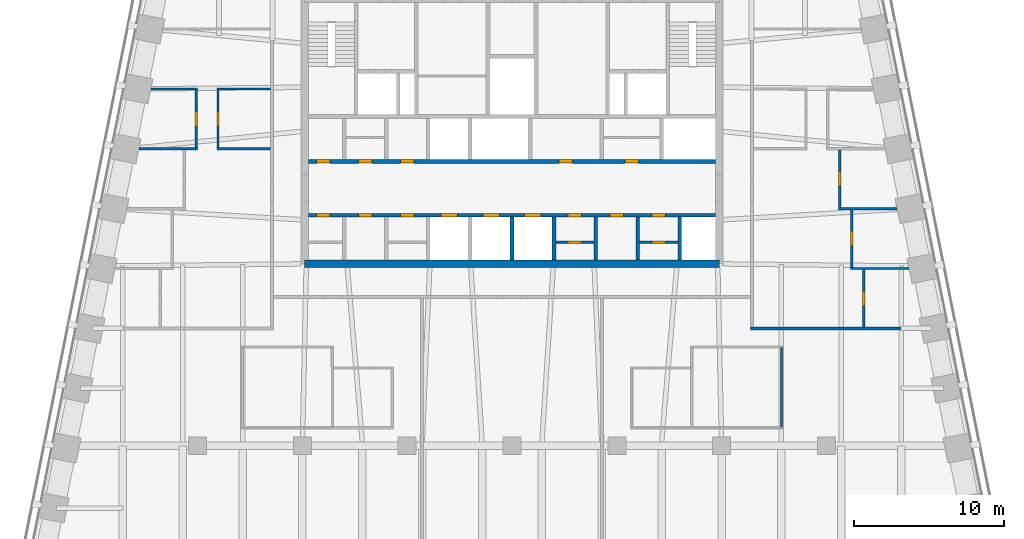
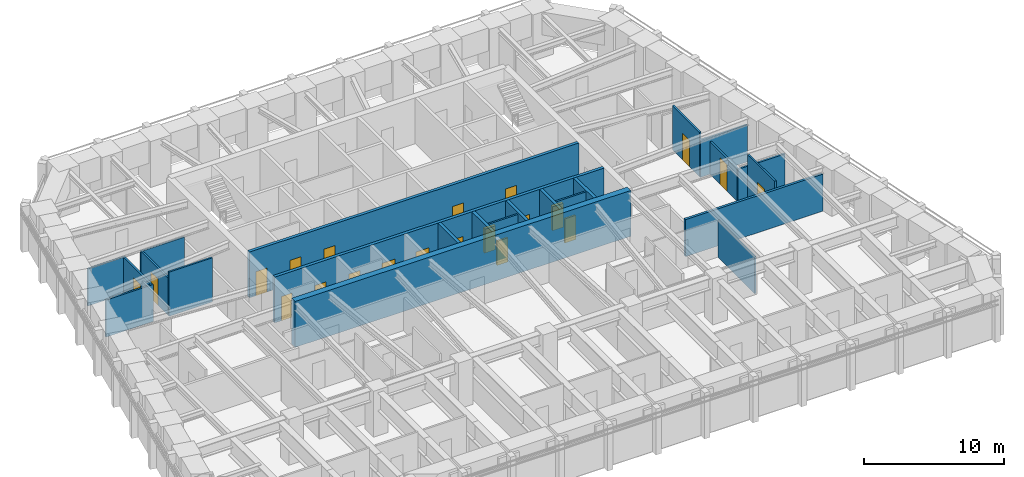
# One storey, part 8 of 12: 23 walls, 21 doors, 21 openings.
"""IFC4 building model written with IfcOpenShell, lengths in metres."""

from ifc_helpers import new_model, si_unit, direction, frame, frame_2d, origin, place, context, subcontext, project, spatial, rectangle, extrude, material, layer, layer_set, type_object, element, fill, save


model = new_model("IFC4")

# Units and contexts
model_context = context("Model", 3, precision=1e-05, world=origin(), true_north=direction((0.0, 1.0)))
body_context = subcontext(model_context, "Body", "Model", "MODEL_VIEW")
ifc_project = project(units=[si_unit("LENGTHUNIT", "METRE"), si_unit("AREAUNIT", "SQUARE_METRE"), si_unit("VOLUMEUNIT", "CUBIC_METRE"), si_unit("PLANEANGLEUNIT", "RADIAN"), si_unit("MASSUNIT", "GRAM", prefix="KILO")], contexts=[model_context])

# Site, building, storey
site_placement = place(None, origin())
site = spatial("IfcSite", under=ifc_project, at=site_placement, CompositionType="ELEMENT")
building_placement = place(site_placement, origin())
building = spatial("IfcBuilding", under=site, at=building_placement, Name="Isbrekke Arena Tower", CompositionType="ELEMENT")
storey_placement = place(building_placement, frame((0.0, 0.0, 256.0)))
storey = spatial("IfcBuildingStorey", under=building, at=storey_placement, Name="L59", CompositionType="ELEMENT", Elevation=256.0)

# Wall
ifc_material_1 = material(Name="Concrete B55 (C55/67)", Category="concrete")
ifc_layer_1 = layer(ifc_material_1, 0.5)
ifc_layer_set_1 = layer_set([ifc_layer_1], Name="CW5 CORE WALL 500")
wall_type_1 = type_object("IfcWallType", Name="CW5 CORE WALL 500", PredefinedType="SHEAR", material=ifc_layer_set_1)
wall_1_placement = place(storey_placement, frame((-13.85009765625, 6.14990234375, 0.0), z_axis=(0.0, 0.0, 1.0), x_axis=(1.0, 0.0, 0.0)))
element("IfcWall", 1, at=wall_1_placement, inside=storey, type_object=wall_type_1, Name="Core wall S L59", PredefinedType="SHEAR", context=body_context, shape_type="SweptSolid", body=[
    extrude(rectangle(XDim=27.7001953125, YDim=0.5, at=frame_2d((13.85009765625, 0.0))), origin(), (0.0, 0.0, 1.0), 4.0),
])

# Wall, openings, doors
ifc_material_2 = material(Name="Concrete B45 (C45/55)", Category="concrete")
ifc_layer_2 = layer(ifc_material_2, 0.25)
ifc_layer_set_2 = layer_set([ifc_layer_2], Name="CW6 SHAFT WALL 250")
wall_type_2 = type_object("IfcWallType", Name="CW6 SHAFT WALL 250", PredefinedType="SHEAR", material=ifc_layer_set_2)
wall_2_placement = place(storey_placement, frame((-13.60009765625, 9.39990234375, 0.0), z_axis=(0.0, 0.0, 1.0), x_axis=(1.0, 0.0, 0.0)))
wall_2 = element("IfcWall", 2, at=wall_2_placement, inside=storey, type_object=wall_type_2, Name="Core wall LS L59", PredefinedType="SHEAR", context=body_context, shape_type="SweptSolid", body=[
    extrude(rectangle(XDim=27.2001953125, YDim=0.25, at=frame_2d((13.60009765625, 0.0))), origin(), (0.0, 0.0, 1.0), 4.0),
])
opening_1_placement = place(wall_2_placement, frame((8.85009765625, 0.0, 0.0)))
opening_1 = element("IfcOpeningElement", 3, at=opening_1_placement, cuts=wall_2, Name="Opening LD1", PredefinedType="OPENING", context=body_context, shape_type="SweptSolid", body=[
    extrude(rectangle(XDim=1.10009765625, YDim=2.10009765625, at=frame_2d((0.550048828125, 1.050048828125))), frame((0.0, 0.139892578125, 0.0), z_axis=(0.0, -1.0, 0.0), x_axis=(1.0, 0.0, 0.0)), (0.0, 0.0, 1.0), 0.27978515625),
])
opening_2_placement = place(wall_2_placement, frame((11.64990234375, 0.0, 0.0)))
opening_2 = element("IfcOpeningElement", 4, at=opening_2_placement, cuts=wall_2, Name="Opening LD1", PredefinedType="OPENING", context=body_context, shape_type="SweptSolid", body=[
    extrude(rectangle(XDim=1.10009765625, YDim=2.10009765625, at=frame_2d((0.550048828125, 1.050048828125))), frame((0.0, 0.139892578125, 0.0), z_axis=(0.0, -1.0, 0.0), x_axis=(1.0, 0.0, 0.0)), (0.0, 0.0, 1.0), 0.27978515625),
])
opening_3_placement = place(wall_2_placement, frame((14.449951171875, 0.0, 0.0)))
opening_3 = element("IfcOpeningElement", 5, at=opening_3_placement, cuts=wall_2, Name="Opening LD1", PredefinedType="OPENING", context=body_context, shape_type="SweptSolid", body=[
    extrude(rectangle(XDim=1.10009765625, YDim=2.10009765625, at=frame_2d((0.550048828125, 1.050048828125))), frame((0.0, 0.139892578125, 0.0), z_axis=(0.0, -1.0, 0.0), x_axis=(1.0, 0.0, 0.0)), (0.0, 0.0, 1.0), 0.27978515625),
])
opening_4_placement = place(wall_2_placement, frame((0.550048828125, 0.0, 0.0)))
opening_4 = element("IfcOpeningElement", 6, at=opening_4_placement, cuts=wall_2, Name="Opening D5", PredefinedType="OPENING", context=body_context, shape_type="SweptSolid", body=[
    extrude(rectangle(XDim=0.89990234375, YDim=2.10009765625, at=frame_2d((0.449951171875, 1.050048828125))), frame((0.0, 0.139892578125, 0.0), z_axis=(0.0, -1.0, 0.0), x_axis=(1.0, 0.0, 0.0)), (0.0, 0.0, 1.0), 0.27978515625),
])
opening_5_placement = place(wall_2_placement, frame((3.35009765625, 0.0, 0.0)))
opening_5 = element("IfcOpeningElement", 7, at=opening_5_placement, cuts=wall_2, Name="Opening D5", PredefinedType="OPENING", context=body_context, shape_type="SweptSolid", body=[
    extrude(rectangle(XDim=0.89990234375, YDim=2.10009765625, at=frame_2d((0.449951171875, 1.050048828125))), frame((0.0, 0.139892578125, 0.0), z_axis=(0.0, -1.0, 0.0), x_axis=(1.0, 0.0, 0.0)), (0.0, 0.0, 1.0), 0.27978515625),
])
opening_6_placement = place(wall_2_placement, frame((6.14990234375, 0.0, 0.0)))
opening_6 = element("IfcOpeningElement", 8, at=opening_6_placement, cuts=wall_2, Name="Opening D5", PredefinedType="OPENING", context=body_context, shape_type="SweptSolid", body=[
    extrude(rectangle(XDim=0.89990234375, YDim=2.10009765625, at=frame_2d((0.449951171875, 1.050048828125))), frame((0.0, 0.139892578125, 0.0), z_axis=(0.0, -1.0, 0.0), x_axis=(1.0, 0.0, 0.0)), (0.0, 0.0, 1.0), 0.27978515625),
])
opening_7_placement = place(wall_2_placement, frame((17.35009765625, 0.0, 0.0)))
opening_7 = element("IfcOpeningElement", 9, at=opening_7_placement, cuts=wall_2, Name="Opening D5", PredefinedType="OPENING", context=body_context, shape_type="SweptSolid", body=[
    extrude(rectangle(XDim=0.89990234375, YDim=2.10009765625, at=frame_2d((0.449951171875, 1.050048828125))), frame((0.0, 0.139892578125, 0.0), z_axis=(0.0, -1.0, 0.0), x_axis=(1.0, 0.0, 0.0)), (0.0, 0.0, 1.0), 0.27978515625),
])
opening_8_placement = place(wall_2_placement, frame((20.14990234375, 0.0, 0.0)))
opening_8 = element("IfcOpeningElement", 10, at=opening_8_placement, cuts=wall_2, Name="Opening D5", PredefinedType="OPENING", context=body_context, shape_type="SweptSolid", body=[
    extrude(rectangle(XDim=0.89990234375, YDim=2.10009765625, at=frame_2d((0.449951171875, 1.050048828125))), frame((0.0, 0.139892578125, 0.0), z_axis=(0.0, -1.0, 0.0), x_axis=(1.0, 0.0, 0.0)), (0.0, 0.0, 1.0), 0.27978515625),
])
opening_9_placement = place(wall_2_placement, frame((22.949951171875, 0.0, 0.0)))
opening_9 = element("IfcOpeningElement", 11, at=opening_9_placement, cuts=wall_2, Name="Opening D5", PredefinedType="OPENING", context=body_context, shape_type="SweptSolid", body=[
    extrude(rectangle(XDim=0.89990234375, YDim=2.10009765625, at=frame_2d((0.449951171875, 1.050048828125))), frame((0.0, 0.139892578125, 0.0), z_axis=(0.0, -1.0, 0.0), x_axis=(1.0, 0.0, 0.0)), (0.0, 0.0, 1.0), 0.27978515625),
])
ifc_material_3 = material(Name="Steel fire door", Category="steel")
door_type_1 = type_object("IfcDoorType", Name="D5 SERVICE DOOR 900 x 2100", OperationType="SINGLE_SWING_LEFT", PredefinedType="DOOR", material=ifc_material_3)
door_1_placement = place(opening_4_placement, origin())
door_1 = element("IfcDoor", 12, at=door_1_placement, inside=storey, type_object=door_type_1, Name="D5 pantry door L59", OperationType="SINGLE_SWING_LEFT", OverallHeight=2.10009765625, OverallWidth=0.89990234375, PredefinedType="DOOR", context=body_context, shape_type="SweptSolid", body=[
    extrude(rectangle(XDim=0.89990234375, YDim=2.10009765625, at=frame_2d((0.449951171875, 1.050048828125))), frame((0.0, 0.124755859375, 0.0), z_axis=(0.0, -1.0, 0.0), x_axis=(1.0, 0.0, 0.0)), (0.0, 0.0, 1.0), 0.24951171875),
])
fill(opening_4, door_1)
door_2_placement = place(opening_5_placement, origin())
door_2 = element("IfcDoor", 13, at=door_2_placement, inside=storey, type_object=door_type_1, Name="D5 technical room door L59", OperationType="SINGLE_SWING_LEFT", OverallHeight=2.10009765625, OverallWidth=0.89990234375, PredefinedType="DOOR", context=body_context, shape_type="SweptSolid", body=[
    extrude(rectangle(XDim=0.89990234375, YDim=2.10009765625, at=frame_2d((0.449951171875, 1.050048828125))), frame((0.0, 0.124755859375, 0.0), z_axis=(0.0, -1.0, 0.0), x_axis=(1.0, 0.0, 0.0)), (0.0, 0.0, 1.0), 0.24951171875),
])
fill(opening_5, door_2)
door_3_placement = place(opening_6_placement, origin())
door_3 = element("IfcDoor", 14, at=door_3_placement, inside=storey, type_object=door_type_1, Name="D5 first-aid room door L59", OperationType="SINGLE_SWING_LEFT", OverallHeight=2.10009765625, OverallWidth=0.89990234375, PredefinedType="DOOR", context=body_context, shape_type="SweptSolid", body=[
    extrude(rectangle(XDim=0.89990234375, YDim=2.10009765625, at=frame_2d((0.449951171875, 1.050048828125))), frame((0.0, 0.124755859375, 0.0), z_axis=(0.0, -1.0, 0.0), x_axis=(1.0, 0.0, 0.0)), (0.0, 0.0, 1.0), 0.24951171875),
])
fill(opening_6, door_3)
door_4_placement = place(opening_7_placement, origin())
door_4 = element("IfcDoor", 15, at=door_4_placement, inside=storey, type_object=door_type_1, Name="D5 tea point door L59", OperationType="SINGLE_SWING_LEFT", OverallHeight=2.10009765625, OverallWidth=0.89990234375, PredefinedType="DOOR", context=body_context, shape_type="SweptSolid", body=[
    extrude(rectangle(XDim=0.89990234375, YDim=2.10009765625, at=frame_2d((0.449951171875, 1.050048828125))), frame((0.0, 0.124755859375, 0.0), z_axis=(0.0, -1.0, 0.0), x_axis=(1.0, 0.0, 0.0)), (0.0, 0.0, 1.0), 0.24951171875),
])
fill(opening_7, door_4)
door_5_placement = place(opening_8_placement, origin())
door_5 = element("IfcDoor", 16, at=door_5_placement, inside=storey, type_object=door_type_1, Name="D5 archive door L59", OperationType="SINGLE_SWING_LEFT", OverallHeight=2.10009765625, OverallWidth=0.89990234375, PredefinedType="DOOR", context=body_context, shape_type="SweptSolid", body=[
    extrude(rectangle(XDim=0.89990234375, YDim=2.10009765625, at=frame_2d((0.449951171875, 1.050048828125))), frame((0.0, 0.124755859375, 0.0), z_axis=(0.0, -1.0, 0.0), x_axis=(1.0, 0.0, 0.0)), (0.0, 0.0, 1.0), 0.24951171875),
])
fill(opening_8, door_5)
door_6_placement = place(opening_9_placement, origin())
door_6 = element("IfcDoor", 17, at=door_6_placement, inside=storey, type_object=door_type_1, Name="D5 mothers' room door L59", OperationType="SINGLE_SWING_LEFT", OverallHeight=2.10009765625, OverallWidth=0.89990234375, PredefinedType="DOOR", context=body_context, shape_type="SweptSolid", body=[
    extrude(rectangle(XDim=0.89990234375, YDim=2.10009765625, at=frame_2d((0.449951171875, 1.050048828125))), frame((0.0, 0.124755859375, 0.0), z_axis=(0.0, -1.0, 0.0), x_axis=(1.0, 0.0, 0.0)), (0.0, 0.0, 1.0), 0.24951171875),
])
fill(opening_9, door_6)
ifc_material_4 = material(Name="Stainless steel lift landing door", Category="steel")
door_type_2 = type_object("IfcDoorType", Name="LD1 LIFT LANDING DOOR 1100 x 2100", OperationType="SLIDING_TO_LEFT", PredefinedType="DOOR", material=ifc_material_4)
door_7_placement = place(opening_1_placement, origin())
door_7 = element("IfcDoor", 18, at=door_7_placement, inside=storey, type_object=door_type_2, Name="LD1 lift landing door LE L59", OperationType="SLIDING_TO_LEFT", OverallHeight=2.10009765625, OverallWidth=1.10009765625, PredefinedType="DOOR", context=body_context, shape_type="SweptSolid", body=[
    extrude(rectangle(XDim=1.10009765625, YDim=2.10009765625, at=frame_2d((0.550048828125, 1.050048828125))), frame((0.0, 0.124755859375, 0.0), z_axis=(0.0, -1.0, 0.0), x_axis=(1.0, 0.0, 0.0)), (0.0, 0.0, 1.0), 0.24951171875),
])
fill(opening_1, door_7)
door_8_placement = place(opening_2_placement, origin())
door_8 = element("IfcDoor", 19, at=door_8_placement, inside=storey, type_object=door_type_2, Name="LD1 lift landing door LE L59", OperationType="SLIDING_TO_LEFT", OverallHeight=2.10009765625, OverallWidth=1.10009765625, PredefinedType="DOOR", context=body_context, shape_type="SweptSolid", body=[
    extrude(rectangle(XDim=1.10009765625, YDim=2.10009765625, at=frame_2d((0.550048828125, 1.050048828125))), frame((0.0, 0.124755859375, 0.0), z_axis=(0.0, -1.0, 0.0), x_axis=(1.0, 0.0, 0.0)), (0.0, 0.0, 1.0), 0.24951171875),
])
fill(opening_2, door_8)
door_9_placement = place(opening_3_placement, origin())
door_9 = element("IfcDoor", 20, at=door_9_placement, inside=storey, type_object=door_type_2, Name="LD1 lift landing door LE L59", OperationType="SLIDING_TO_LEFT", OverallHeight=2.10009765625, OverallWidth=1.10009765625, PredefinedType="DOOR", context=body_context, shape_type="SweptSolid", body=[
    extrude(rectangle(XDim=1.10009765625, YDim=2.10009765625, at=frame_2d((0.550048828125, 1.050048828125))), frame((0.0, 0.124755859375, 0.0), z_axis=(0.0, -1.0, 0.0), x_axis=(1.0, 0.0, 0.0)), (0.0, 0.0, 1.0), 0.24951171875),
])
fill(opening_3, door_9)

wall_3_placement = place(storey_placement, frame((-13.60009765625, 13.0, 0.0), z_axis=(0.0, 0.0, 1.0), x_axis=(1.0, 0.0, 0.0)))
wall_3 = element("IfcWall", 21, at=wall_3_placement, inside=storey, type_object=wall_type_2, Name="Core wall LN L59", PredefinedType="SHEAR", context=body_context, shape_type="SweptSolid", body=[
    extrude(rectangle(XDim=27.2001953125, YDim=0.25, at=frame_2d((13.60009765625, 0.0))), origin(), (0.0, 0.0, 1.0), 4.0),
])
opening_10_placement = place(wall_3_placement, frame((16.75, 0.0, 0.0)))
opening_10 = element("IfcOpeningElement", 22, at=opening_10_placement, cuts=wall_3, Name="Opening D5", PredefinedType="OPENING", context=body_context, shape_type="SweptSolid", body=[
    extrude(rectangle(XDim=0.89990234375, YDim=2.10009765625, at=frame_2d((0.449951171875, 1.050048828125))), frame((0.0, 0.139892578125, 0.0), z_axis=(0.0, -1.0, 0.0), x_axis=(1.0, 0.0, 0.0)), (0.0, 0.0, 1.0), 0.27978515625),
])
opening_11_placement = place(wall_3_placement, frame((21.14990234375, 0.0, 0.0)))
opening_11 = element("IfcOpeningElement", 23, at=opening_11_placement, cuts=wall_3, Name="Opening D5", PredefinedType="OPENING", context=body_context, shape_type="SweptSolid", body=[
    extrude(rectangle(XDim=0.89990234375, YDim=2.10009765625, at=frame_2d((0.449951171875, 1.050048828125))), frame((0.0, 0.139892578125, 0.0), z_axis=(0.0, -1.0, 0.0), x_axis=(1.0, 0.0, 0.0)), (0.0, 0.0, 1.0), 0.27978515625),
])
opening_12_placement = place(wall_3_placement, frame((0.550048828125, 0.0, 0.0)))
opening_12 = element("IfcOpeningElement", 24, at=opening_12_placement, cuts=wall_3, Name="Opening D5", PredefinedType="OPENING", context=body_context, shape_type="SweptSolid", body=[
    extrude(rectangle(XDim=0.89990234375, YDim=2.10009765625, at=frame_2d((0.449951171875, 1.050048828125))), frame((0.0, 0.139892578125, 0.0), z_axis=(0.0, -1.0, 0.0), x_axis=(1.0, 0.0, 0.0)), (0.0, 0.0, 1.0), 0.27978515625),
])
opening_13_placement = place(wall_3_placement, frame((3.35009765625, 0.0, 0.0)))
opening_13 = element("IfcOpeningElement", 25, at=opening_13_placement, cuts=wall_3, Name="Opening D5", PredefinedType="OPENING", context=body_context, shape_type="SweptSolid", body=[
    extrude(rectangle(XDim=0.89990234375, YDim=2.10009765625, at=frame_2d((0.449951171875, 1.050048828125))), frame((0.0, 0.139892578125, 0.0), z_axis=(0.0, -1.0, 0.0), x_axis=(1.0, 0.0, 0.0)), (0.0, 0.0, 1.0), 0.27978515625),
])
opening_14_placement = place(wall_3_placement, frame((6.14990234375, 0.0, 0.0)))
opening_14 = element("IfcOpeningElement", 26, at=opening_14_placement, cuts=wall_3, Name="Opening D5", PredefinedType="OPENING", context=body_context, shape_type="SweptSolid", body=[
    extrude(rectangle(XDim=0.89990234375, YDim=2.10009765625, at=frame_2d((0.449951171875, 1.050048828125))), frame((0.0, 0.139892578125, 0.0), z_axis=(0.0, -1.0, 0.0), x_axis=(1.0, 0.0, 0.0)), (0.0, 0.0, 1.0), 0.27978515625),
])
door_10_placement = place(opening_10_placement, origin())
door_10 = element("IfcDoor", 27, at=door_10_placement, inside=storey, type_object=door_type_1, Name="D5 cleaner's store door L59", OperationType="SINGLE_SWING_LEFT", OverallHeight=2.10009765625, OverallWidth=0.89990234375, PredefinedType="DOOR", context=body_context, shape_type="SweptSolid", body=[
    extrude(rectangle(XDim=0.89990234375, YDim=2.10009765625, at=frame_2d((0.449951171875, 1.050048828125))), frame((0.0, 0.124755859375, 0.0), z_axis=(0.0, -1.0, 0.0), x_axis=(1.0, 0.0, 0.0)), (0.0, 0.0, 1.0), 0.24951171875),
])
fill(opening_10, door_10)
door_11_placement = place(opening_11_placement, origin())
door_11 = element("IfcDoor", 28, at=door_11_placement, inside=storey, type_object=door_type_1, Name="D5 communications room door L59", OperationType="SINGLE_SWING_LEFT", OverallHeight=2.10009765625, OverallWidth=0.89990234375, PredefinedType="DOOR", context=body_context, shape_type="SweptSolid", body=[
    extrude(rectangle(XDim=0.89990234375, YDim=2.10009765625, at=frame_2d((0.449951171875, 1.050048828125))), frame((0.0, 0.124755859375, 0.0), z_axis=(0.0, -1.0, 0.0), x_axis=(1.0, 0.0, 0.0)), (0.0, 0.0, 1.0), 0.24951171875),
])
fill(opening_11, door_11)
door_12_placement = place(opening_12_placement, origin())
door_12 = element("IfcDoor", 29, at=door_12_placement, inside=storey, type_object=door_type_1, Name="D5 print room door L59", OperationType="SINGLE_SWING_LEFT", OverallHeight=2.10009765625, OverallWidth=0.89990234375, PredefinedType="DOOR", context=body_context, shape_type="SweptSolid", body=[
    extrude(rectangle(XDim=0.89990234375, YDim=2.10009765625, at=frame_2d((0.449951171875, 1.050048828125))), frame((0.0, 0.124755859375, 0.0), z_axis=(0.0, -1.0, 0.0), x_axis=(1.0, 0.0, 0.0)), (0.0, 0.0, 1.0), 0.24951171875),
])
fill(opening_12, door_12)
door_13_placement = place(opening_13_placement, origin())
door_13 = element("IfcDoor", 30, at=door_13_placement, inside=storey, type_object=door_type_1, Name="D5 pantry door L59", OperationType="SINGLE_SWING_LEFT", OverallHeight=2.10009765625, OverallWidth=0.89990234375, PredefinedType="DOOR", context=body_context, shape_type="SweptSolid", body=[
    extrude(rectangle(XDim=0.89990234375, YDim=2.10009765625, at=frame_2d((0.449951171875, 1.050048828125))), frame((0.0, 0.124755859375, 0.0), z_axis=(0.0, -1.0, 0.0), x_axis=(1.0, 0.0, 0.0)), (0.0, 0.0, 1.0), 0.24951171875),
])
fill(opening_13, door_13)
door_14_placement = place(opening_14_placement, origin())
door_14 = element("IfcDoor", 31, at=door_14_placement, inside=storey, type_object=door_type_1, Name="D5 tenant store door L59", OperationType="SINGLE_SWING_LEFT", OverallHeight=2.10009765625, OverallWidth=0.89990234375, PredefinedType="DOOR", context=body_context, shape_type="SweptSolid", body=[
    extrude(rectangle(XDim=0.89990234375, YDim=2.10009765625, at=frame_2d((0.449951171875, 1.050048828125))), frame((0.0, 0.124755859375, 0.0), z_axis=(0.0, -1.0, 0.0), x_axis=(1.0, 0.0, 0.0)), (0.0, 0.0, 1.0), 0.24951171875),
])
fill(opening_14, door_14)

# Walls
for number, where, z_axis, x_axis, name in (
    (32, (0.0, 6.39990234375, 0.0), (0.0, 0.0, 1.0), (0.0, 1.0, 0.0), "Core wall SS05 L59"),
    (33, (2.800048828125, 6.39990234375, 0.0), (0.0, 0.0, 1.0), (0.0, 1.0, 0.0), "Core wall SS06 L59"),
    (34, (5.60009765625, 6.39990234375, 0.0), (0.0, 0.0, 1.0), (0.0, 1.0, 0.0), "Core wall SS07 L59"),
    (35, (8.39990234375, 6.39990234375, 0.0), (0.0, 0.0, 1.0), (0.0, 1.0, 0.0), "Core wall SS08 L59"),
    (36, (11.199951171875, 6.39990234375, 0.0), (0.0, 0.0, 1.0), (0.0, 1.0, 0.0), "Core wall SS09 L59"),
):
    element("IfcWall", number, at=place(storey_placement, frame(where, z_axis=z_axis, x_axis=x_axis)), inside=storey, type_object=wall_type_2, Name=name, PredefinedType="SHEAR", context=body_context, shape_type="SweptSolid", body=[
        extrude(rectangle(XDim=2.875, YDim=0.25, at=frame_2d((1.4375, 0.0))), origin(), (0.0, 0.0, 1.0), 4.0),
    ])
ifc_material_5 = material(Name="Gypsum board partition on steel studs", Category="steel")
ifc_layer_3 = layer(ifc_material_5, 0.14990234375)
ifc_layer_set_3 = layer_set([ifc_layer_3], Name="IW1 PARTITION 150")
wall_type_3 = type_object("IfcWallType", Name="IW1 PARTITION 150", PredefinedType="PARTITIONING", material=ifc_layer_set_3)
wall_4_placement = place(storey_placement, frame((22.625, 5.840087890625, 0.0), z_axis=(0.0, 0.0, 1.0), x_axis=(1.0, 0.0, 0.0)))
element("IfcWall", 37, at=wall_4_placement, inside=storey, type_object=wall_type_3, Name="IW1 partition 150 L59", PredefinedType="PARTITIONING", context=body_context, shape_type="SweptSolid", body=[
    extrude(rectangle(XDim=3.898681640625, YDim=0.14990234375, at=frame_2d((1.94921875, 0.0))), origin(), (0.0, 0.0, 1.0), 2.842041015625),
])
for number, where, z_axis, x_axis, name in (
    (38, (21.824951171875, 9.840087890625, 0.0), (0.0, 0.0, 1.0), (1.0, 0.0, 0.0), "IW1 partition 150 L59"),
    (39, (-24.923828125, 13.840087890625, 0.0), (0.0, 0.0, 1.0), (1.0, 0.0, 0.0), "IW1 partition 150 L59"),
):
    element("IfcWall", number, at=place(storey_placement, frame(where, z_axis=z_axis, x_axis=x_axis)), inside=storey, type_object=wall_type_3, Name=name, PredefinedType="PARTITIONING", context=body_context, shape_type="SweptSolid", body=[
        extrude(rectangle(XDim=3.89892578125, YDim=0.14990234375, at=frame_2d((1.949462890625, 0.0))), origin(), (0.0, 0.0, 1.0), 3.22998046875),
    ])
wall_5_placement = place(storey_placement, frame((-19.72509765625, 13.840087890625, 0.0), z_axis=(0.0, 0.0, 1.0), x_axis=(1.0, 0.0, 0.0)))
element("IfcWall", 40, at=wall_5_placement, inside=storey, type_object=wall_type_3, Name="IW1 partition 150 L59", PredefinedType="PARTITIONING", context=body_context, shape_type="SweptSolid", body=[
    extrude(rectangle(XDim=3.5751953125, YDim=0.14990234375, at=frame_2d((1.78759765625, 0.0))), origin(), (0.0, 0.0, 1.0), 3.85009765625),
])
wall_6_placement = place(storey_placement, frame((-24.123779296875, 17.840087890625, 0.0), z_axis=(0.0, 0.0, 1.0), x_axis=(1.0, 0.0, 0.0)))
element("IfcWall", 41, at=wall_6_placement, inside=storey, type_object=wall_type_3, Name="IW1 partition 150 L59", PredefinedType="PARTITIONING", context=body_context, shape_type="SweptSolid", body=[
    extrude(rectangle(XDim=3.098876953125, YDim=0.14990234375, at=frame_2d((1.54931640625, 0.0))), origin(), (0.0, 0.0, 1.0), 3.22998046875),
])
wall_7_placement = place(storey_placement, frame((-19.72509765625, 17.840087890625, 0.0), z_axis=(0.0, 0.0, 1.0), x_axis=(1.0, 0.0, 0.0)))
element("IfcWall", 42, at=wall_7_placement, inside=storey, type_object=wall_type_3, Name="IW1 partition 150 L59", PredefinedType="PARTITIONING", context=body_context, shape_type="SweptSolid", body=[
    extrude(rectangle(XDim=3.5751953125, YDim=0.14990234375, at=frame_2d((1.78759765625, 0.0))), origin(), (0.0, 0.0, 1.0), 3.22998046875),
])

# Wall, opening, door
wall_8_placement = place(storey_placement, frame((-21.10009765625, 13.9150390625, 0.0), z_axis=(0.0, 0.0, 1.0), x_axis=(0.0, 1.0, 0.0)))
wall_8 = element("IfcWall", 43, at=wall_8_placement, inside=storey, type_object=wall_type_3, Name="IW1 partition 150 L59", PredefinedType="PARTITIONING", context=body_context, shape_type="SweptSolid", body=[
    extrude(rectangle(XDim=3.849853515625, YDim=0.14990234375, at=frame_2d((1.9248046875, 0.0))), origin(), (0.0, 0.0, 1.0), 3.22998046875),
])
opening_15_placement = place(wall_8_placement, frame((1.425048828125, 0.0, 0.0)))
opening_15 = element("IfcOpeningElement", 44, at=opening_15_placement, cuts=wall_8, Name="Opening D10", PredefinedType="OPENING", context=body_context, shape_type="SweptSolid", body=[
    extrude(rectangle(XDim=1.0, YDim=2.300048828125, at=frame_2d((0.5, 1.14990234375))), frame((0.0, 0.08984375, 0.0), z_axis=(0.0, -1.0, 0.0), x_axis=(1.0, 0.0, 0.0)), (0.0, 0.0, 1.0), 0.1796875),
])
ifc_material_6 = material(Name="Timber door", Category="wood")
door_type_3 = type_object("IfcDoorType", Name="D10 OFFICE DOOR 1000 x 2300", OperationType="SINGLE_SWING_LEFT", PredefinedType="DOOR", material=ifc_material_6)
door_15_placement = place(opening_15_placement, origin())
door_15 = element("IfcDoor", 45, at=door_15_placement, inside=storey, type_object=door_type_3, Name="D10 office door L59", OperationType="SINGLE_SWING_LEFT", OverallHeight=2.300048828125, OverallWidth=1.0, PredefinedType="DOOR", context=body_context, shape_type="SweptSolid", body=[
    extrude(rectangle(XDim=1.0, YDim=2.300048828125, at=frame_2d((0.5, 1.14990234375))), frame((0.0, 0.07470703125, 0.0), z_axis=(0.0, -1.0, 0.0), x_axis=(1.0, 0.0, 0.0)), (0.0, 0.0, 1.0), 0.1494140625),
])
fill(opening_15, door_15)

wall_9_placement = place(storey_placement, frame((-19.64990234375, 13.9150390625, 0.0), z_axis=(0.0, 0.0, 1.0), x_axis=(0.0, 1.0, 0.0)))
wall_9 = element("IfcWall", 46, at=wall_9_placement, inside=storey, type_object=wall_type_3, Name="IW1 partition 150 L59", PredefinedType="PARTITIONING", context=body_context, shape_type="SweptSolid", body=[
    extrude(rectangle(XDim=3.849853515625, YDim=0.14990234375, at=frame_2d((1.9248046875, 0.0))), origin(), (0.0, 0.0, 1.0), 3.22998046875),
])
opening_16_placement = place(wall_9_placement, frame((1.425048828125, 0.0, 0.0)))
opening_16 = element("IfcOpeningElement", 47, at=opening_16_placement, cuts=wall_9, Name="Opening D10", PredefinedType="OPENING", context=body_context, shape_type="SweptSolid", body=[
    extrude(rectangle(XDim=1.0, YDim=2.300048828125, at=frame_2d((0.5, 1.14990234375))), frame((0.0, 0.08984375, 0.0), z_axis=(0.0, -1.0, 0.0), x_axis=(1.0, 0.0, 0.0)), (0.0, 0.0, 1.0), 0.1796875),
])
door_16_placement = place(opening_16_placement, origin())
door_16 = element("IfcDoor", 48, at=door_16_placement, inside=storey, type_object=door_type_3, Name="D10 print room door L59", OperationType="SINGLE_SWING_LEFT", OverallHeight=2.300048828125, OverallWidth=1.0, PredefinedType="DOOR", context=body_context, shape_type="SweptSolid", body=[
    extrude(rectangle(XDim=1.0, YDim=2.300048828125, at=frame_2d((0.5, 1.14990234375))), frame((0.0, 0.07470703125, 0.0), z_axis=(0.0, -1.0, 0.0), x_axis=(1.0, 0.0, 0.0)), (0.0, 0.0, 1.0), 0.1494140625),
])
fill(opening_16, door_16)

wall_10_placement = place(storey_placement, frame((21.89990234375, 9.9150390625, 0.0), z_axis=(0.0, 0.0, 1.0), x_axis=(0.0, 1.0, 0.0)))
wall_10 = element("IfcWall", 49, at=wall_10_placement, inside=storey, type_object=wall_type_3, Name="IW1 partition 150 L59", PredefinedType="PARTITIONING", context=body_context, shape_type="SweptSolid", body=[
    extrude(rectangle(XDim=3.849853515625, YDim=0.14990234375, at=frame_2d((1.9248046875, 0.0))), origin(), (0.0, 0.0, 1.0), 3.85009765625),
])
opening_17_placement = place(wall_10_placement, frame((1.425048828125, 0.0, 0.0)))
opening_17 = element("IfcOpeningElement", 50, at=opening_17_placement, cuts=wall_10, Name="Opening D10", PredefinedType="OPENING", context=body_context, shape_type="SweptSolid", body=[
    extrude(rectangle(XDim=1.0, YDim=2.300048828125, at=frame_2d((0.5, 1.14990234375))), frame((0.0, 0.08984375, 0.0), z_axis=(0.0, -1.0, 0.0), x_axis=(1.0, 0.0, 0.0)), (0.0, 0.0, 1.0), 0.1796875),
])
door_17_placement = place(opening_17_placement, origin())
door_17 = element("IfcDoor", 51, at=door_17_placement, inside=storey, type_object=door_type_3, Name="D10 office door L59", OperationType="SINGLE_SWING_LEFT", OverallHeight=2.300048828125, OverallWidth=1.0, PredefinedType="DOOR", context=body_context, shape_type="SweptSolid", body=[
    extrude(rectangle(XDim=1.0, YDim=2.300048828125, at=frame_2d((0.5, 1.14990234375))), frame((0.0, 0.07470703125, 0.0), z_axis=(0.0, -1.0, 0.0), x_axis=(1.0, 0.0, 0.0)), (0.0, 0.0, 1.0), 0.1494140625),
])
fill(opening_17, door_17)

wall_11_placement = place(storey_placement, frame((22.699951171875, 5.9150390625, 0.0), z_axis=(0.0, 0.0, 1.0), x_axis=(0.0, 1.0, 0.0)))
wall_11 = element("IfcWall", 52, at=wall_11_placement, inside=storey, type_object=wall_type_3, Name="IW1 partition 150 L59", PredefinedType="PARTITIONING", context=body_context, shape_type="SweptSolid", body=[
    extrude(rectangle(XDim=3.849853515625, YDim=0.14990234375, at=frame_2d((1.9248046875, 0.0))), origin(), (0.0, 0.0, 1.0), 2.842041015625),
])
opening_18_placement = place(wall_11_placement, frame((1.425048828125, 0.0, 0.0)))
opening_18 = element("IfcOpeningElement", 53, at=opening_18_placement, cuts=wall_11, Name="Opening D10", PredefinedType="OPENING", context=body_context, shape_type="SweptSolid", body=[
    extrude(rectangle(XDim=1.0, YDim=2.300048828125, at=frame_2d((0.5, 1.14990234375))), frame((0.0, 0.08984375, 0.0), z_axis=(0.0, -1.0, 0.0), x_axis=(1.0, 0.0, 0.0)), (0.0, 0.0, 1.0), 0.1796875),
])
door_18_placement = place(opening_18_placement, origin())
door_18 = element("IfcDoor", 54, at=door_18_placement, inside=storey, type_object=door_type_3, Name="D10 office door L59", OperationType="SINGLE_SWING_LEFT", OverallHeight=2.300048828125, OverallWidth=1.0, PredefinedType="DOOR", context=body_context, shape_type="SweptSolid", body=[
    extrude(rectangle(XDim=1.0, YDim=2.300048828125, at=frame_2d((0.5, 1.14990234375))), frame((0.0, 0.07470703125, 0.0), z_axis=(0.0, -1.0, 0.0), x_axis=(1.0, 0.0, 0.0)), (0.0, 0.0, 1.0), 0.1494140625),
])
fill(opening_18, door_18)

wall_12_placement = place(storey_placement, frame((23.5, 1.93994140625, 0.0), z_axis=(0.0, 0.0, 1.0), x_axis=(0.0, 1.0, 0.0)))
wall_12 = element("IfcWall", 55, at=wall_12_placement, inside=storey, type_object=wall_type_3, Name="IW1 partition 150 L59", PredefinedType="PARTITIONING", context=body_context, shape_type="SweptSolid", body=[
    extrude(rectangle(XDim=3.824951171875, YDim=0.14990234375, at=frame_2d((1.91259765625, 0.0))), origin(), (0.0, 0.0, 1.0), 3.85009765625),
])
opening_19_placement = place(wall_12_placement, frame((1.39990234375, 0.0, 0.0)))
opening_19 = element("IfcOpeningElement", 56, at=opening_19_placement, cuts=wall_12, Name="Opening D10", PredefinedType="OPENING", context=body_context, shape_type="SweptSolid", body=[
    extrude(rectangle(XDim=1.0, YDim=2.300048828125, at=frame_2d((0.5, 1.14990234375))), frame((0.0, 0.08984375, 0.0), z_axis=(0.0, -1.0, 0.0), x_axis=(1.0, 0.0, 0.0)), (0.0, 0.0, 1.0), 0.1796875),
])
door_19_placement = place(opening_19_placement, origin())
door_19 = element("IfcDoor", 57, at=door_19_placement, inside=storey, type_object=door_type_3, Name="D10 office door L59", OperationType="SINGLE_SWING_LEFT", OverallHeight=2.300048828125, OverallWidth=1.0, PredefinedType="DOOR", context=body_context, shape_type="SweptSolid", body=[
    extrude(rectangle(XDim=1.0, YDim=2.300048828125, at=frame_2d((0.5, 1.14990234375))), frame((0.0, 0.07470703125, 0.0), z_axis=(0.0, -1.0, 0.0), x_axis=(1.0, 0.0, 0.0)), (0.0, 0.0, 1.0), 0.1494140625),
])
fill(opening_19, door_19)

# Walls
ifc_material_7 = material(Name="Frameless glazed partition, laminated acoustic glass", Category="glass")
ifc_layer_4 = layer(ifc_material_7, 0.1201171875)
ifc_layer_set_4 = layer_set([ifc_layer_4], Name="IW2 GLAZED PARTITION 120")
wall_type_4 = type_object("IfcWallType", Name="IW2 GLAZED PARTITION 120", PredefinedType="PARTITIONING", material=ifc_layer_set_4)
wall_13_placement = place(storey_placement, frame((18.0, -4.739990234375, 0.0), z_axis=(0.0, 0.0, 1.0), x_axis=(0.0, 1.0, 0.0)))
element("IfcWall", 58, at=wall_13_placement, inside=storey, type_object=wall_type_4, Name="IW2 glazed partition 120 L59", PredefinedType="PARTITIONING", context=body_context, shape_type="SweptSolid", body=[
    extrude(rectangle(XDim=5.280029296875, YDim=0.1201171875, at=frame_2d((2.64013671875, 0.0))), origin(), (0.0, 0.0, 1.0), 3.22998046875),
])
ifc_material_8 = material(Name="Gypsum board fire-cell wall on steel studs, two layers each side", Category="steel")
ifc_layer_5 = layer(ifc_material_8, 0.199951171875)
ifc_layer_set_5 = layer_set([ifc_layer_5], Name="IW3 FIRE-CELL WALL 200")
wall_type_5 = type_object("IfcWallType", Name="IW3 FIRE-CELL WALL 200", PredefinedType="PARTITIONING", material=ifc_layer_set_5)
wall_14_placement = place(storey_placement, frame((15.949951171875, 1.840087890625, 0.0), z_axis=(0.0, 0.0, 1.0), x_axis=(1.0, 0.0, 0.0)))
element("IfcWall", 59, at=wall_14_placement, inside=storey, type_object=wall_type_5, Name="IW3 fire-cell wall 200 L59", PredefinedType="PARTITIONING", context=body_context, shape_type="SweptSolid", body=[
    extrude(rectangle(XDim=11.373779296875, YDim=0.199951171875, at=frame_2d((5.68701171875, 0.0))), origin(), (0.0, 0.0, 1.0), 3.22998046875),
])

# Wall, opening, door
ifc_material_9 = material(Name="Gypsum board fire-rated partition on steel studs, two layers each side", Category="steel")
ifc_layer_6 = layer(ifc_material_9, 0.14990234375)
ifc_layer_set_6 = layer_set([ifc_layer_6], Name="IW5 FIRE-RATED PARTITION 150")
wall_type_6 = type_object("IfcWallType", Name="IW5 FIRE-RATED PARTITION 150", PredefinedType="PARTITIONING", material=ifc_layer_set_6)
wall_15_placement = place(storey_placement, frame((2.925048828125, 7.60009765625, 0.0), z_axis=(0.0, 0.0, 1.0), x_axis=(1.0, 0.0, 0.0)))
wall_15 = element("IfcWall", 60, at=wall_15_placement, inside=storey, type_object=wall_type_6, Name="IW5 fire-rated partition L59 core service rooms 5", PredefinedType="PARTITIONING", context=body_context, shape_type="SweptSolid", body=[
    extrude(rectangle(XDim=2.550048828125, YDim=0.14990234375, at=frame_2d((1.27490234375, 0.0))), origin(), (0.0, 0.0, 1.0), 3.85009765625),
])
opening_20_placement = place(wall_15_placement, frame((0.824951171875, 0.0, 0.0)))
opening_20 = element("IfcOpeningElement", 61, at=opening_20_placement, cuts=wall_15, Name="Opening D5", PredefinedType="OPENING", context=body_context, shape_type="SweptSolid", body=[
    extrude(rectangle(XDim=0.89990234375, YDim=2.10009765625, at=frame_2d((0.449951171875, 1.050048828125))), frame((0.0, 0.08984375, 0.0), z_axis=(0.0, -1.0, 0.0), x_axis=(1.0, 0.0, 0.0)), (0.0, 0.0, 1.0), 0.1796875),
])
door_20_placement = place(opening_20_placement, origin())
door_20 = element("IfcDoor", 62, at=door_20_placement, inside=storey, type_object=door_type_1, Name="D5 store door L59", OperationType="SINGLE_SWING_LEFT", OverallHeight=2.10009765625, OverallWidth=0.89990234375, PredefinedType="DOOR", context=body_context, shape_type="SweptSolid", body=[
    extrude(rectangle(XDim=0.89990234375, YDim=2.10009765625, at=frame_2d((0.449951171875, 1.050048828125))), frame((0.0, 0.07470703125, 0.0), z_axis=(0.0, -1.0, 0.0), x_axis=(1.0, 0.0, 0.0)), (0.0, 0.0, 1.0), 0.1494140625),
])
fill(opening_20, door_20)

wall_16_placement = place(storey_placement, frame((8.52490234375, 7.60009765625, 0.0), z_axis=(0.0, 0.0, 1.0), x_axis=(1.0, 0.0, 0.0)))
wall_16 = element("IfcWall", 63, at=wall_16_placement, inside=storey, type_object=wall_type_6, Name="IW5 fire-rated partition L59 core service rooms 6", PredefinedType="PARTITIONING", context=body_context, shape_type="SweptSolid", body=[
    extrude(rectangle(XDim=2.550048828125, YDim=0.14990234375, at=frame_2d((1.27490234375, 0.0))), origin(), (0.0, 0.0, 1.0), 3.85009765625),
])
opening_21_placement = place(wall_16_placement, frame((0.824951171875, 0.0, 0.0)))
opening_21 = element("IfcOpeningElement", 64, at=opening_21_placement, cuts=wall_16, Name="Opening D5", PredefinedType="OPENING", context=body_context, shape_type="SweptSolid", body=[
    extrude(rectangle(XDim=0.89990234375, YDim=2.10009765625, at=frame_2d((0.449951171875, 1.050048828125))), frame((0.0, 0.08984375, 0.0), z_axis=(0.0, -1.0, 0.0), x_axis=(1.0, 0.0, 0.0)), (0.0, 0.0, 1.0), 0.1796875),
])
door_21_placement = place(opening_21_placement, origin())
door_21 = element("IfcDoor", 65, at=door_21_placement, inside=storey, type_object=door_type_1, Name="D5 archive door L59", OperationType="SINGLE_SWING_LEFT", OverallHeight=2.10009765625, OverallWidth=0.89990234375, PredefinedType="DOOR", context=body_context, shape_type="SweptSolid", body=[
    extrude(rectangle(XDim=0.89990234375, YDim=2.10009765625, at=frame_2d((0.449951171875, 1.050048828125))), frame((0.0, 0.07470703125, 0.0), z_axis=(0.0, -1.0, 0.0), x_axis=(1.0, 0.0, 0.0)), (0.0, 0.0, 1.0), 0.1494140625),
])
fill(opening_21, door_21)

save(model, "model.ifc")
